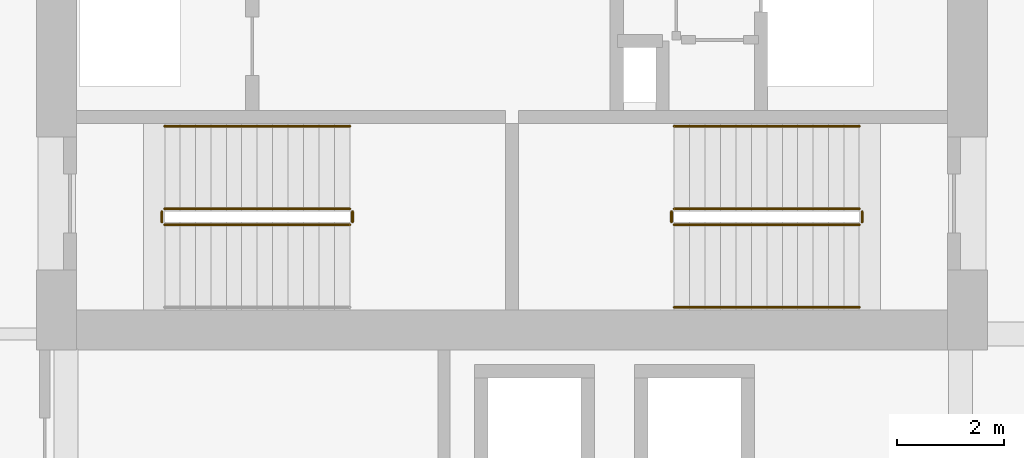
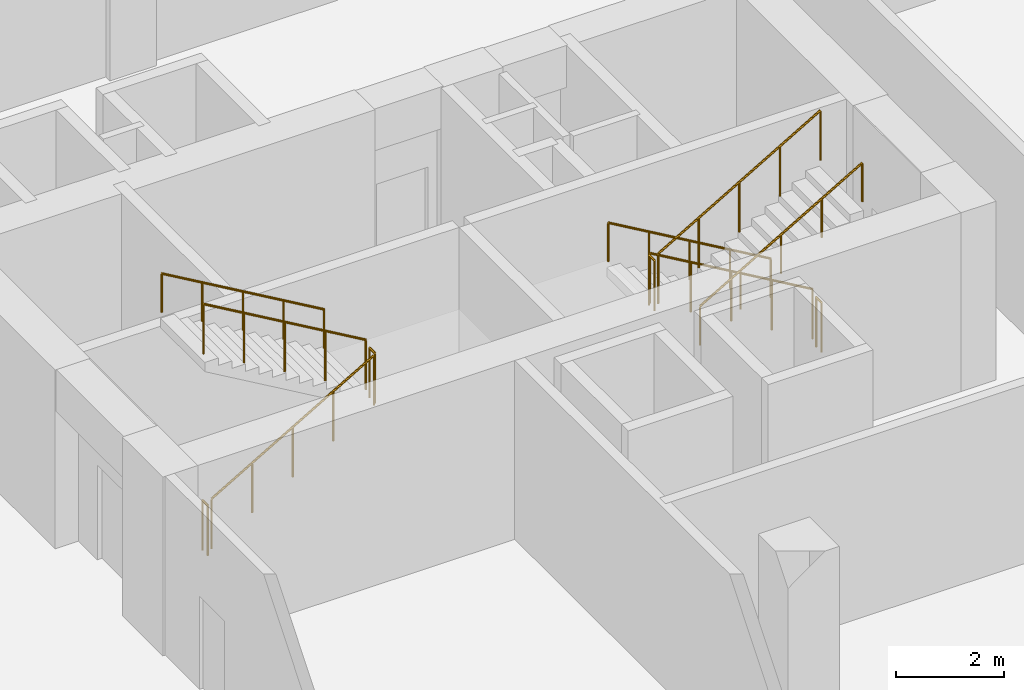
# One storey, part 23 of 25: 11 railings.
"""IFC4 building model written with IfcOpenShell, lengths in metres."""

from ifc_helpers import new_model, si_unit, direction, frame, origin, origin_2d, place, context, subcontext, project, spatial, circle, extrude, material, type_object, element, save


model = new_model("IFC4")

# Units and contexts
model_context = context("Model", 3, precision=1e-05, world=origin(), true_north=direction((0.0, 1.0)))
body_context = subcontext(model_context, "Body", "Model", "MODEL_VIEW")
ifc_project = project(units=[si_unit("LENGTHUNIT", "METRE"), si_unit("AREAUNIT", "SQUARE_METRE"), si_unit("VOLUMEUNIT", "CUBIC_METRE"), si_unit("PLANEANGLEUNIT", "RADIAN"), si_unit("MASSUNIT", "GRAM", prefix="KILO")], contexts=[model_context])

# Site, building, storey
site_placement = place(None, origin())
site = spatial("IfcSite", under=ifc_project, at=site_placement, CompositionType="ELEMENT")
building_placement = place(site_placement, origin())
building = spatial("IfcBuilding", under=site, at=building_placement, Name="Koriwani Terraces Tower", CompositionType="ELEMENT")
storey_placement = place(building_placement, frame((0.0, 0.0, 157.60009765625)))
storey = spatial("IfcBuildingStorey", under=building, at=storey_placement, Name="L38", CompositionType="ELEMENT", Elevation=157.60009765625)

# Railings
ifc_material = material(Name="Steel ASTM A572 Grade 50", Category="steel")
railing_type_1 = type_object("IfcRailingType", Name="GUARD_STAIR_WELL_1120", PredefinedType="GUARDRAIL", material=ifc_material)
railing_1_placement = place(storey_placement, frame((43.85009765625, 18.85009765625, 0.169189453125)))
element("IfcRailing", 1, at=railing_1_placement, inside=storey, type_object=railing_type_1, Name="L38 ST-E1 stair guard 1", PredefinedType="GUARDRAIL", context=body_context, shape_type="SweptSolid", body=[
    extrude(circle(Radius=0.02392578125, at=origin_2d()), frame((0.0, 0.0, 1.1259765625), z_axis=(0.863695377172, 0.0, 0.504014181796), x_axis=(0.0, 1.0, 0.0)), (0.0, 0.0, 1.0), 4.029296875),
    extrude(circle(Radius=0.02099609375, at=origin_2d()), origin(), (0.0, 0.0, 1.0), 1.101806640625),
    extrude(circle(Radius=0.02099609375, at=origin_2d()), frame((0.8701171875, 0.0, 0.5078125)), (0.0, 0.0, 1.0), 1.101806640625),
    extrude(circle(Radius=0.02099609375, at=origin_2d()), frame((1.739990234375, 0.0, 1.015380859375)), (0.0, 0.0, 1.0), 1.101806640625),
    extrude(circle(Radius=0.02099609375, at=origin_2d()), frame((2.60986328125, 0.0, 1.52294921875)), (0.0, 0.0, 1.0), 1.101806640625),
    extrude(circle(Radius=0.02099609375, at=origin_2d()), frame((3.47998046875, 0.0, 2.03076171875)), (0.0, 0.0, 1.0), 1.101806640625),
])
railing_2_placement = place(storey_placement, frame((47.3798828125, 18.89990234375, 2.199951171875)))
element("IfcRailing", 2, at=railing_2_placement, inside=storey, type_object=railing_type_1, Name="L38 ST-E1 stair guard 2", PredefinedType="GUARDRAIL", context=body_context, shape_type="SweptSolid", body=[
    extrude(circle(Radius=0.02392578125, at=origin_2d()), frame((0.0, 0.0, 1.1259765625), z_axis=(0.0, 1.0, 0.0), x_axis=(-1.0, 0.0, 0.0)), (0.0, 0.0, 1.0), 0.2001953125),
    extrude(circle(Radius=0.02099609375, at=origin_2d()), origin(), (0.0, 0.0, 1.0), 1.101806640625),
    extrude(circle(Radius=0.02099609375, at=origin_2d()), frame((0.0, 0.2001953125, 0.0)), (0.0, 0.0, 1.0), 1.101806640625),
])
railing_3_placement = place(storey_placement, frame((47.330078125, 19.14990234375, 2.369140625)))
element("IfcRailing", 3, at=railing_3_placement, inside=storey, type_object=railing_type_1, Name="L38 ST-E1 stair guard 3", PredefinedType="GUARDRAIL", context=body_context, shape_type="SweptSolid", body=[
    extrude(circle(Radius=0.02392578125, at=origin_2d()), frame((0.0, 0.0, 1.1259765625), z_axis=(-0.863695377172, 0.0, 0.504014181796), x_axis=(0.0, -1.0, 0.0)), (0.0, 0.0, 1.0), 4.029296875),
    extrude(circle(Radius=0.02099609375, at=origin_2d()), origin(), (0.0, 0.0, 1.0), 1.101806640625),
    extrude(circle(Radius=0.02099609375, at=origin_2d()), frame((-0.8701171875, 0.0, 0.5078125)), (0.0, 0.0, 1.0), 1.101806640625),
    extrude(circle(Radius=0.02099609375, at=origin_2d()), frame((-1.739990234375, 0.0, 1.015380859375)), (0.0, 0.0, 1.0), 1.101806640625),
    extrude(circle(Radius=0.02099609375, at=origin_2d()), frame((-2.60986328125, 0.0, 1.52294921875)), (0.0, 0.0, 1.0), 1.101806640625),
    extrude(circle(Radius=0.02099609375, at=origin_2d()), frame((-3.47998046875, 0.0, 2.03076171875)), (0.0, 0.0, 1.0), 1.101806640625),
])
railing_4_placement = place(storey_placement, frame((43.800048828125, 18.89990234375, 0.0)))
element("IfcRailing", 4, at=railing_4_placement, inside=storey, type_object=railing_type_1, Name="L38 ST-E1 stair guard 4", PredefinedType="GUARDRAIL", context=body_context, shape_type="SweptSolid", body=[
    extrude(circle(Radius=0.02392578125, at=origin_2d()), frame((0.0, 0.0, 1.1259765625), z_axis=(0.0, 1.0, 0.0), x_axis=(-1.0, 0.0, 0.0)), (0.0, 0.0, 1.0), 0.2001953125),
    extrude(circle(Radius=0.02099609375, at=origin_2d()), origin(), (0.0, 0.0, 1.0), 1.101806640625),
    extrude(circle(Radius=0.02099609375, at=origin_2d()), frame((0.0, 0.2001953125, 0.0)), (0.0, 0.0, 1.0), 1.101806640625),
])
railing_5_placement = place(storey_placement, frame((56.89990234375, 19.14990234375, 0.169189453125)))
element("IfcRailing", 5, at=railing_5_placement, inside=storey, type_object=railing_type_1, Name="L38 ST-E2 stair guard 1", PredefinedType="GUARDRAIL", context=body_context, shape_type="SweptSolid", body=[
    extrude(circle(Radius=0.02392578125, at=origin_2d()), frame((0.0, 0.0, 1.1259765625), z_axis=(-0.863695377172, 0.0, 0.504014181796), x_axis=(0.0, -1.0, 0.0)), (0.0, 0.0, 1.0), 4.029296875),
    extrude(circle(Radius=0.02099609375, at=origin_2d()), origin(), (0.0, 0.0, 1.0), 1.101806640625),
    extrude(circle(Radius=0.02099609375, at=origin_2d()), frame((-0.8701171875, 0.0, 0.5078125)), (0.0, 0.0, 1.0), 1.101806640625),
    extrude(circle(Radius=0.02099609375, at=origin_2d()), frame((-1.739990234375, 0.0, 1.015380859375)), (0.0, 0.0, 1.0), 1.101806640625),
    extrude(circle(Radius=0.02099609375, at=origin_2d()), frame((-2.60986328125, 0.0, 1.52294921875)), (0.0, 0.0, 1.0), 1.101806640625),
    extrude(circle(Radius=0.02099609375, at=origin_2d()), frame((-3.47998046875, 0.0, 2.03076171875)), (0.0, 0.0, 1.0), 1.101806640625),
])
railing_6_placement = place(storey_placement, frame((53.3701171875, 19.10009765625, 2.199951171875)))
element("IfcRailing", 6, at=railing_6_placement, inside=storey, type_object=railing_type_1, Name="L38 ST-E2 stair guard 2", PredefinedType="GUARDRAIL", context=body_context, shape_type="SweptSolid", body=[
    extrude(circle(Radius=0.02392578125, at=origin_2d()), frame((0.0, 0.0, 1.1259765625), z_axis=(0.0, -1.0, 0.0), x_axis=(1.0, 0.0, 0.0)), (0.0, 0.0, 1.0), 0.2001953125),
    extrude(circle(Radius=0.02099609375, at=origin_2d()), origin(), (0.0, 0.0, 1.0), 1.101806640625),
    extrude(circle(Radius=0.02099609375, at=origin_2d()), frame((0.0, -0.2001953125, 0.0)), (0.0, 0.0, 1.0), 1.101806640625),
])
railing_7_placement = place(storey_placement, frame((53.419921875, 18.85009765625, 2.369140625)))
element("IfcRailing", 7, at=railing_7_placement, inside=storey, type_object=railing_type_1, Name="L38 ST-E2 stair guard 3", PredefinedType="GUARDRAIL", context=body_context, shape_type="SweptSolid", body=[
    extrude(circle(Radius=0.02392578125, at=origin_2d()), frame((0.0, 0.0, 1.1259765625), z_axis=(0.863695377172, 0.0, 0.504014181796), x_axis=(0.0, 1.0, 0.0)), (0.0, 0.0, 1.0), 4.029296875),
    extrude(circle(Radius=0.02099609375, at=origin_2d()), origin(), (0.0, 0.0, 1.0), 1.101806640625),
    extrude(circle(Radius=0.02099609375, at=origin_2d()), frame((0.8701171875, 0.0, 0.5078125)), (0.0, 0.0, 1.0), 1.101806640625),
    extrude(circle(Radius=0.02099609375, at=origin_2d()), frame((1.739990234375, 0.0, 1.015380859375)), (0.0, 0.0, 1.0), 1.101806640625),
    extrude(circle(Radius=0.02099609375, at=origin_2d()), frame((2.60986328125, 0.0, 1.52294921875)), (0.0, 0.0, 1.0), 1.101806640625),
    extrude(circle(Radius=0.02099609375, at=origin_2d()), frame((3.47998046875, 0.0, 2.03076171875)), (0.0, 0.0, 1.0), 1.101806640625),
])
railing_8_placement = place(storey_placement, frame((56.949951171875, 19.10009765625, 0.0)))
element("IfcRailing", 8, at=railing_8_placement, inside=storey, type_object=railing_type_1, Name="L38 ST-E2 stair guard 4", PredefinedType="GUARDRAIL", context=body_context, shape_type="SweptSolid", body=[
    extrude(circle(Radius=0.02392578125, at=origin_2d()), frame((0.0, 0.0, 1.1259765625), z_axis=(0.0, -1.0, 0.0), x_axis=(1.0, 0.0, 0.0)), (0.0, 0.0, 1.0), 0.2001953125),
    extrude(circle(Radius=0.02099609375, at=origin_2d()), origin(), (0.0, 0.0, 1.0), 1.101806640625),
    extrude(circle(Radius=0.02099609375, at=origin_2d()), frame((0.0, -0.2001953125, 0.0)), (0.0, 0.0, 1.0), 1.101806640625),
])
railing_type_2 = type_object("IfcRailingType", Name="HANDRAIL_STAIR_920", PredefinedType="HANDRAIL", material=ifc_material)
for number, where, name in (
    (9, (47.330078125, 20.699951171875, 2.369140625), "L38 ST-E1 stair handrail 2"),
    (10, (56.89990234375, 20.699951171875, 0.169189453125), "L38 ST-E2 stair handrail 1"),
):
    element("IfcRailing", number, at=place(storey_placement, frame(where)), inside=storey, type_object=railing_type_2, Name=name, PredefinedType="HANDRAIL", context=body_context, shape_type="SweptSolid", body=[
        extrude(circle(Radius=0.02392578125, at=origin_2d()), frame((0.0, 0.0, 0.8759765625), z_axis=(-0.863695377172, 0.0, 0.504014181796), x_axis=(0.0, -1.0, 0.0)), (0.0, 0.0, 1.0), 4.029296875),
        extrude(circle(Radius=0.02099609375, at=origin_2d()), origin(), (0.0, 0.0, 1.0), 0.851806640625),
        extrude(circle(Radius=0.02099609375, at=origin_2d()), frame((-0.8701171875, 0.0, 0.5078125)), (0.0, 0.0, 1.0), 0.851806640625),
        extrude(circle(Radius=0.02099609375, at=origin_2d()), frame((-1.739990234375, 0.0, 1.015380859375)), (0.0, 0.0, 1.0), 0.851806640625),
        extrude(circle(Radius=0.02099609375, at=origin_2d()), frame((-2.60986328125, 0.0, 1.52294921875)), (0.0, 0.0, 1.0), 0.851806640625),
        extrude(circle(Radius=0.02099609375, at=origin_2d()), frame((-3.47998046875, 0.0, 2.03076171875)), (0.0, 0.0, 1.0), 0.851806640625),
    ])
railing_9_placement = place(storey_placement, frame((53.419921875, 17.300048828125, 2.369140625)))
element("IfcRailing", 11, at=railing_9_placement, inside=storey, type_object=railing_type_2, Name="L38 ST-E2 stair handrail 2", PredefinedType="HANDRAIL", context=body_context, shape_type="SweptSolid", body=[
    extrude(circle(Radius=0.02392578125, at=origin_2d()), frame((0.0, 0.0, 0.8759765625), z_axis=(0.863695377172, 0.0, 0.504014181796), x_axis=(0.0, 1.0, 0.0)), (0.0, 0.0, 1.0), 4.029296875),
    extrude(circle(Radius=0.02099609375, at=origin_2d()), origin(), (0.0, 0.0, 1.0), 0.851806640625),
    extrude(circle(Radius=0.02099609375, at=origin_2d()), frame((0.8701171875, 0.0, 0.5078125)), (0.0, 0.0, 1.0), 0.851806640625),
    extrude(circle(Radius=0.02099609375, at=origin_2d()), frame((1.739990234375, 0.0, 1.015380859375)), (0.0, 0.0, 1.0), 0.851806640625),
    extrude(circle(Radius=0.02099609375, at=origin_2d()), frame((2.60986328125, 0.0, 1.52294921875)), (0.0, 0.0, 1.0), 0.851806640625),
    extrude(circle(Radius=0.02099609375, at=origin_2d()), frame((3.47998046875, 0.0, 2.03076171875)), (0.0, 0.0, 1.0), 0.851806640625),
])

save(model, "model.ifc")
